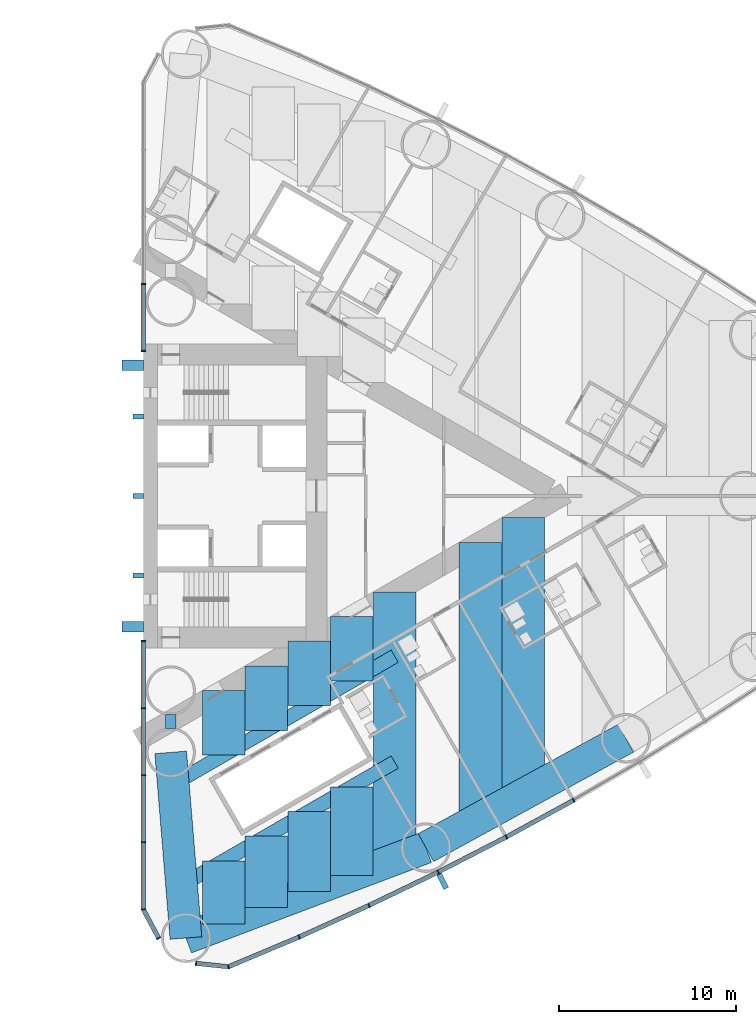
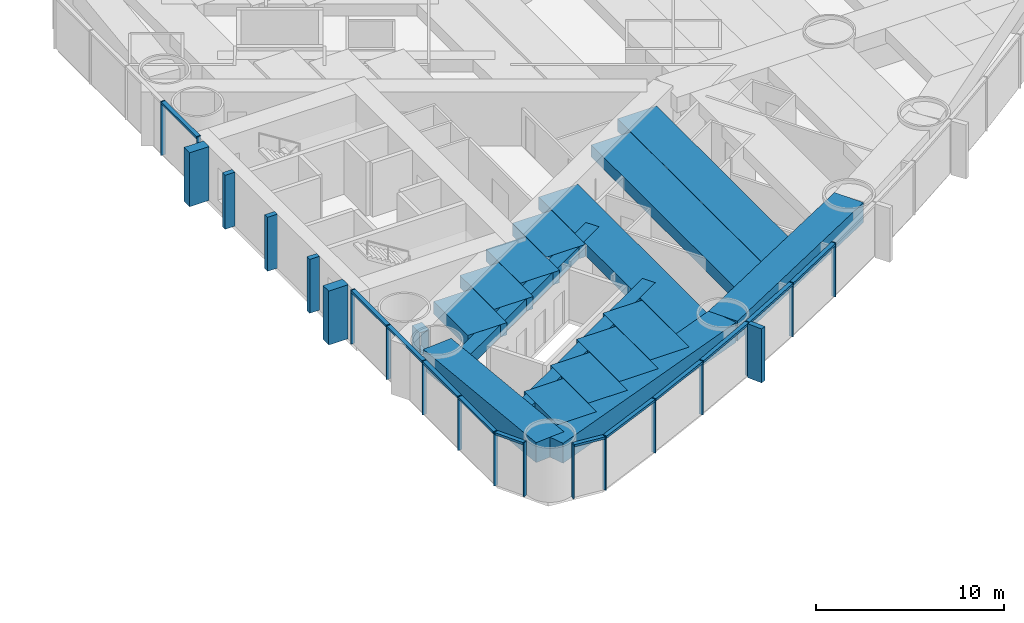
# One storey, part 6 of 18: 33 members, 17 beams, 3 elements without a shape of their own.
"""IFC4 building model written with IfcOpenShell, lengths in metres."""

from ifc_helpers import new_model, si_unit, direction, frame, origin, origin_2d, place, context, subcontext, project, spatial, rectangle, hollow_rectangle, extrude, material, material_profile, profile_set, type_object, element, aggregate, save


model = new_model("IFC4")

# Units and contexts
model_context = context("Model", 3, precision=1e-05, world=origin(), true_north=direction((0.0, 1.0)))
body_context = subcontext(model_context, "Body", "Model", "MODEL_VIEW")
ifc_project = project(units=[si_unit("LENGTHUNIT", "METRE"), si_unit("AREAUNIT", "SQUARE_METRE"), si_unit("VOLUMEUNIT", "CUBIC_METRE"), si_unit("PLANEANGLEUNIT", "RADIAN"), si_unit("MASSUNIT", "GRAM", prefix="KILO")], contexts=[model_context])

# Site, building, storey
site_placement = place(None, origin())
site = spatial("IfcSite", under=ifc_project, at=site_placement, CompositionType="ELEMENT")
building_placement = place(site_placement, origin())
building = spatial("IfcBuilding", under=site, at=building_placement, Name="Lancet Gate Hotel", CompositionType="ELEMENT")
storey_placement = place(building_placement, frame((0.0, 0.0, 53.0)))
storey = spatial("IfcBuildingStorey", under=building, at=storey_placement, Name="L13", CompositionType="ELEMENT", Elevation=53.0)

# Curtain wall, members
ifc_material_1 = material(Name="Aluminium curtain wall", Category="aluminium")
curtain_wall_type = type_object("IfcCurtainWallType", Name="Tower unitised curtain wall", PredefinedType="USERDEFINED", material=ifc_material_1)
curtain_wall_1_placement = place(storey_placement, origin())
curtain_wall_1 = element("IfcCurtainWall", 1, at=curtain_wall_1_placement, inside=storey, type_object=curtain_wall_type, Name="T2 L13 curtain wall 1", ObjectType="UNITISED CURTAIN WALL", PredefinedType="USERDEFINED")
ifc_material_2 = material(Name="Aluminium mullion", Category="aluminium")
ifc_material_profile_1 = material_profile(ifc_material_2, rectangle(XDim=0.06494140625, YDim=0.25, at=origin_2d()), Name="MULLION 65x250")
ifc_profile_set_1 = profile_set([ifc_material_profile_1], Name="Aluminium mullion")
member_type_1 = type_object("IfcMemberType", Name="Aluminium mullion 65x250", PredefinedType="MULLION", material=ifc_profile_set_1)
member_1_placement = place(storey_placement, frame((27.5, -8.199951171875, 0.0), z_axis=(0.0, 0.0, 1.0), x_axis=(0.0, -1.0, 0.0)))
member_1 = element("IfcMember", 2, at=member_1_placement, type_object=member_type_1, Name="T2 L13 curtain wall 1 mullion 1", PredefinedType="MULLION", context=body_context, shape_type="SweptSolid", body=[
    extrude(rectangle(XDim=0.06494140625, YDim=0.25, at=origin_2d()), origin(), (0.0, 0.0, 1.0), 3.5),
])
member_2_placement = place(storey_placement, frame((27.5, -11.99609375, 0.0), z_axis=(0.0, 0.0, 1.0), x_axis=(0.0, -1.0, 0.0)))
member_2 = element("IfcMember", 3, at=member_2_placement, type_object=member_type_1, Name="T2 L13 curtain wall 1 mullion 2", PredefinedType="MULLION", context=body_context, shape_type="SweptSolid", body=[
    extrude(rectangle(XDim=0.06494140625, YDim=0.25, at=origin_2d()), origin(), (0.0, 0.0, 1.0), 3.5),
])
member_3_placement = place(storey_placement, frame((27.5, -15.79248046875, 0.0), z_axis=(0.0, 0.0, 1.0), x_axis=(0.0, -1.0, 0.0)))
member_3 = element("IfcMember", 4, at=member_3_placement, type_object=member_type_1, Name="T2 L13 curtain wall 1 mullion 3", PredefinedType="MULLION", context=body_context, shape_type="SweptSolid", body=[
    extrude(rectangle(XDim=0.06494140625, YDim=0.25, at=origin_2d()), origin(), (0.0, 0.0, 1.0), 3.5),
])
member_4_placement = place(storey_placement, frame((27.5, -19.588623046875, 0.0), z_axis=(0.0, 0.0, 1.0), x_axis=(0.0, -1.0, 0.0)))
member_4 = element("IfcMember", 5, at=member_4_placement, type_object=member_type_1, Name="T2 L13 curtain wall 1 mullion 4", PredefinedType="MULLION", context=body_context, shape_type="SweptSolid", body=[
    extrude(rectangle(XDim=0.06494140625, YDim=0.25, at=origin_2d()), origin(), (0.0, 0.0, 1.0), 3.5),
])
member_5_placement = place(storey_placement, frame((27.5, -23.384765625, 0.0), z_axis=(0.0, 0.0, 1.0), x_axis=(0.157751691459, -0.987478811844, 0.0)))
member_5 = element("IfcMember", 6, at=member_5_placement, type_object=member_type_1, Name="T2 L13 curtain wall 1 mullion 5", PredefinedType="MULLION", context=body_context, shape_type="SweptSolid", body=[
    extrude(rectangle(XDim=0.06494140625, YDim=0.25, at=origin_2d()), origin(), (0.0, 0.0, 1.0), 3.5),
])
member_6_placement = place(storey_placement, frame((28.366455078125, -25.012451171875, 0.0), z_axis=(0.0, 0.0, 1.0), x_axis=(0.469897827284, -0.882720811987, 0.0)))
member_6 = element("IfcMember", 7, at=member_6_placement, type_object=member_type_1, Name="T2 L13 curtain wall 1 mullion 6", PredefinedType="MULLION", context=body_context, shape_type="SweptSolid", body=[
    extrude(rectangle(XDim=0.06494140625, YDim=0.25, at=origin_2d()), origin(), (0.0, 0.0, 1.0), 3.5),
])

curtain_wall_2_placement = place(storey_placement, origin())
curtain_wall_2 = element("IfcCurtainWall", 8, at=curtain_wall_2_placement, inside=storey, type_object=curtain_wall_type, Name="T2 L13 curtain wall 2", ObjectType="UNITISED CURTAIN WALL", PredefinedType="USERDEFINED")
member_7_placement = place(storey_placement, frame((30.48388671875, -26.4375, 0.0), z_axis=(0.0, 0.0, 1.0), x_axis=(0.994672262412, -0.10308778001, 0.0)))
member_7 = element("IfcMember", 9, at=member_7_placement, type_object=member_type_1, Name="T2 L13 curtain wall 2 mullion 1", PredefinedType="MULLION", context=body_context, shape_type="SweptSolid", body=[
    extrude(rectangle(XDim=0.06494140625, YDim=0.25, at=origin_2d()), origin(), (0.0, 0.0, 1.0), 3.5),
])
member_8_placement = place(storey_placement, frame((32.3173828125, -26.62744140625, 0.0), z_axis=(0.0, 0.0, 1.0), x_axis=(0.968721492963, 0.248150496819, 0.0)))
member_8 = element("IfcMember", 10, at=member_8_placement, type_object=member_type_1, Name="T2 L13 curtain wall 2 mullion 2", PredefinedType="MULLION", context=body_context, shape_type="SweptSolid", body=[
    extrude(rectangle(XDim=0.06494140625, YDim=0.25, at=origin_2d()), origin(), (0.0, 0.0, 1.0), 3.5),
])
member_9_placement = place(storey_placement, frame((36.31494140625, -24.943603515625, 0.0), z_axis=(0.0, 0.0, 1.0), x_axis=(0.916578705089, 0.399854320193, 0.0)))
member_9 = element("IfcMember", 11, at=member_9_placement, type_object=member_type_1, Name="T2 L13 curtain wall 2 mullion 3", PredefinedType="MULLION", context=body_context, shape_type="SweptSolid", body=[
    extrude(rectangle(XDim=0.06494140625, YDim=0.25, at=origin_2d()), origin(), (0.0, 0.0, 1.0), 3.5),
])
member_10_placement = place(storey_placement, frame((40.2685546875, -23.15869140625, 0.0), z_axis=(0.0, 0.0, 1.0), x_axis=(0.906104948671, 0.423052977762, 0.0)))
member_10 = element("IfcMember", 12, at=member_10_placement, type_object=member_type_1, Name="T2 L13 curtain wall 2 mullion 4", PredefinedType="MULLION", context=body_context, shape_type="SweptSolid", body=[
    extrude(rectangle(XDim=0.06494140625, YDim=0.25, at=origin_2d()), origin(), (0.0, 0.0, 1.0), 3.5),
])
member_11_placement = place(storey_placement, frame((44.17529296875, -21.273681640625, 0.0), z_axis=(0.0, 0.0, 1.0), x_axis=(0.895044147438, 0.445977548917, 0.0)))
member_11 = element("IfcMember", 13, at=member_11_placement, type_object=member_type_1, Name="T2 L13 curtain wall 2 mullion 5", PredefinedType="MULLION", context=body_context, shape_type="SweptSolid", body=[
    extrude(rectangle(XDim=0.06494140625, YDim=0.25, at=origin_2d()), origin(), (0.0, 0.0, 1.0), 3.5),
])
member_12_placement = place(storey_placement, frame((48.03271484375, -19.2900390625, 0.0), z_axis=(0.0, 0.0, 1.0), x_axis=(0.88340346743, 0.468613181347, 0.0)))
member_12 = element("IfcMember", 14, at=member_12_placement, type_object=member_type_1, Name="T2 L13 curtain wall 2 mullion 6", PredefinedType="MULLION", context=body_context, shape_type="SweptSolid", body=[
    extrude(rectangle(XDim=0.06494140625, YDim=0.25, at=origin_2d()), origin(), (0.0, 0.0, 1.0), 3.5),
])
member_13_placement = place(storey_placement, frame((51.838623046875, -17.208740234375, 0.0), z_axis=(0.0, 0.0, 1.0), x_axis=(0.871190450382, 0.490945209941, 0.0)))
member_13 = element("IfcMember", 15, at=member_13_placement, type_object=member_type_1, Name="T2 L13 curtain wall 2 mullion 7", PredefinedType="MULLION", context=body_context, shape_type="SweptSolid", body=[
    extrude(rectangle(XDim=0.06494140625, YDim=0.25, at=origin_2d()), origin(), (0.0, 0.0, 1.0), 3.5),
])

curtain_wall_3_placement = place(storey_placement, origin())
curtain_wall_3 = element("IfcCurtainWall", 16, at=curtain_wall_3_placement, inside=storey, type_object=curtain_wall_type, Name="T2 L13 curtain wall 4", ObjectType="UNITISED CURTAIN WALL", PredefinedType="USERDEFINED")
member_14_placement = place(storey_placement, frame((27.5, 11.99609375, 0.0), z_axis=(0.0, 0.0, 1.0), x_axis=(0.0, -1.0, 0.0)))
member_14 = element("IfcMember", 17, at=member_14_placement, type_object=member_type_1, Name="T2 L13 curtain wall 4 mullion 5", PredefinedType="MULLION", context=body_context, shape_type="SweptSolid", body=[
    extrude(rectangle(XDim=0.06494140625, YDim=0.25, at=origin_2d()), origin(), (0.0, 0.0, 1.0), 3.5),
])
member_15_placement = place(storey_placement, frame((27.5, 8.199951171875, 0.0), z_axis=(0.0, 0.0, 1.0), x_axis=(0.0, -1.0, 0.0)))
member_15 = element("IfcMember", 18, at=member_15_placement, type_object=member_type_1, Name="T2 L13 curtain wall 4 mullion 6", PredefinedType="MULLION", context=body_context, shape_type="SweptSolid", body=[
    extrude(rectangle(XDim=0.06494140625, YDim=0.25, at=origin_2d()), origin(), (0.0, 0.0, 1.0), 3.5),
])

# Member
ifc_material_3 = material(Name="Aluminium transom", Category="aluminium")
ifc_material_profile_2 = material_profile(ifc_material_3, rectangle(XDim=0.25, YDim=0.14990234375, at=origin_2d()), Name="TRANSOM 250x150")
ifc_profile_set_2 = profile_set([ifc_material_profile_2], Name="Aluminium transom")
member_type_2 = type_object("IfcMemberType", Name="Aluminium transom 250x150", PredefinedType="USERDEFINED", material=ifc_profile_set_2)
member_16_placement = place(storey_placement, frame((27.5, -8.232421875, 3.425048828125), z_axis=(0.0, -1.0, 0.0), x_axis=(1.0, 0.0, 0.0)))
member_16 = element("IfcMember", 19, at=member_16_placement, type_object=member_type_2, Name="T2 L13 curtain wall 1 transom 1", ObjectType="TRANSOM", PredefinedType="USERDEFINED", context=body_context, shape_type="SweptSolid", body=[
    extrude(rectangle(XDim=0.25, YDim=0.14990234375, at=origin_2d()), origin(), (0.0, 0.0, 1.0), 3.731201171875),
])

member_17_placement = place(storey_placement, frame((27.5, -12.02880859375, 3.425048828125), z_axis=(0.0, -1.0, 0.0), x_axis=(1.0, 0.0, 0.0)))
member_17 = element("IfcMember", 20, at=member_17_placement, type_object=member_type_2, Name="T2 L13 curtain wall 1 transom 2", ObjectType="TRANSOM", PredefinedType="USERDEFINED", context=body_context, shape_type="SweptSolid", body=[
    extrude(rectangle(XDim=0.25, YDim=0.14990234375, at=origin_2d()), origin(), (0.0, 0.0, 1.0), 3.731201171875),
])

member_18_placement = place(storey_placement, frame((27.5, -15.824951171875, 3.425048828125), z_axis=(0.0, -1.0, 0.0), x_axis=(1.0, 0.0, 0.0)))
member_18 = element("IfcMember", 21, at=member_18_placement, type_object=member_type_2, Name="T2 L13 curtain wall 1 transom 3", ObjectType="TRANSOM", PredefinedType="USERDEFINED", context=body_context, shape_type="SweptSolid", body=[
    extrude(rectangle(XDim=0.25, YDim=0.14990234375, at=origin_2d()), origin(), (0.0, 0.0, 1.0), 3.731201171875),
])

member_19_placement = place(storey_placement, frame((27.5, -19.62109375, 3.425048828125), z_axis=(0.0, -1.0, 0.0), x_axis=(1.0, 0.0, 0.0)))
member_19 = element("IfcMember", 22, at=member_19_placement, type_object=member_type_2, Name="T2 L13 curtain wall 1 transom 4", ObjectType="TRANSOM", PredefinedType="USERDEFINED", context=body_context, shape_type="SweptSolid", body=[
    extrude(rectangle(XDim=0.25, YDim=0.14990234375, at=origin_2d()), origin(), (0.0, 0.0, 1.0), 3.731201171875),
])

member_20_placement = place(storey_placement, frame((27.515380859375, -23.41357421875, 3.425048828125), z_axis=(0.469904276347, -0.882717378933, 0.0), x_axis=(0.882717378933, 0.469904276347, 0.0)))
member_20 = element("IfcMember", 23, at=member_20_placement, type_object=member_type_2, Name="T2 L13 curtain wall 1 transom 5", ObjectType="TRANSOM", PredefinedType="USERDEFINED", context=body_context, shape_type="SweptSolid", body=[
    extrude(rectangle(XDim=0.25, YDim=0.14990234375, at=origin_2d()), origin(), (0.0, 0.0, 1.0), 1.779052734375),
])

aggregate(curtain_wall_1, [member_1, member_2, member_3, member_4, member_5, member_6, member_16, member_17, member_18, member_19, member_20])

member_21_placement = place(storey_placement, frame((30.516357421875, -26.440673828125, 3.425048828125), z_axis=(0.994670452051, -0.103105246306, 0.0), x_axis=(0.103105246306, 0.994670452051, 0.0)))
member_21 = element("IfcMember", 24, at=member_21_placement, type_object=member_type_2, Name="T2 L13 curtain wall 2 transom 1", ObjectType="TRANSOM", PredefinedType="USERDEFINED", context=body_context, shape_type="SweptSolid", body=[
    extrude(rectangle(XDim=0.25, YDim=0.14990234375, at=origin_2d()), origin(), (0.0, 0.0, 1.0), 1.7783203125),
])

member_22_placement = place(storey_placement, frame((32.347412109375, -26.61474609375, 3.425048828125), z_axis=(0.92159772617, 0.388146404233, 0.0), x_axis=(-0.388146404233, 0.92159772617, 0.0)))
member_22 = element("IfcMember", 25, at=member_22_placement, type_object=member_type_2, Name="T2 L13 curtain wall 2 transom 2", ObjectType="TRANSOM", PredefinedType="USERDEFINED", context=body_context, shape_type="SweptSolid", body=[
    extrude(rectangle(XDim=0.25, YDim=0.14990234375, at=origin_2d()), origin(), (0.0, 0.0, 1.0), 4.272705078125),
])

member_23_placement = place(storey_placement, frame((36.3447265625, -24.930419921875, 3.425048828125), z_axis=(0.911396871737, 0.411528543589, 0.0), x_axis=(-0.411528543589, 0.911396871737, 0.0)))
member_23 = element("IfcMember", 26, at=member_23_placement, type_object=member_type_2, Name="T2 L13 curtain wall 2 transom 3", ObjectType="TRANSOM", PredefinedType="USERDEFINED", context=body_context, shape_type="SweptSolid", body=[
    extrude(rectangle(XDim=0.25, YDim=0.14990234375, at=origin_2d()), origin(), (0.0, 0.0, 1.0), 4.272705078125),
])

member_24_placement = place(storey_placement, frame((40.2978515625, -23.14453125, 3.425048828125), z_axis=(0.900646499888, 0.434552508035, 0.0), x_axis=(-0.434552508035, 0.900646499888, 0.0)))
member_24 = element("IfcMember", 27, at=member_24_placement, type_object=member_type_2, Name="T2 L13 curtain wall 2 transom 4", ObjectType="TRANSOM", PredefinedType="USERDEFINED", context=body_context, shape_type="SweptSolid", body=[
    extrude(rectangle(XDim=0.25, YDim=0.14990234375, at=origin_2d()), origin(), (0.0, 0.0, 1.0), 4.272705078125),
])

member_25_placement = place(storey_placement, frame((44.2041015625, -21.259033203125, 3.425048828125), z_axis=(0.88929576978, 0.457332520002, 0.0), x_axis=(-0.457332520002, 0.88929576978, 0.0)))
member_25 = element("IfcMember", 28, at=member_25_placement, type_object=member_type_2, Name="T2 L13 curtain wall 2 transom 5", ObjectType="TRANSOM", PredefinedType="USERDEFINED", context=body_context, shape_type="SweptSolid", body=[
    extrude(rectangle(XDim=0.25, YDim=0.14990234375, at=origin_2d()), origin(), (0.0, 0.0, 1.0), 4.272705078125),
])

member_26_placement = place(storey_placement, frame((48.061279296875, -19.2744140625, 3.425048828125), z_axis=(0.877377528879, 0.479800658417, 0.0), x_axis=(-0.479800658417, 0.877377528879, 0.0)))
member_26 = element("IfcMember", 29, at=member_26_placement, type_object=member_type_2, Name="T2 L13 curtain wall 2 transom 6", ObjectType="TRANSOM", PredefinedType="USERDEFINED", context=body_context, shape_type="SweptSolid", body=[
    extrude(rectangle(XDim=0.25, YDim=0.14990234375, at=origin_2d()), origin(), (0.0, 0.0, 1.0), 4.272705078125),
])

member_27_placement = place(storey_placement, frame((27.5, 11.963623046875, 3.425048828125), z_axis=(0.0, -1.0, 0.0), x_axis=(1.0, 0.0, 0.0)))
member_27 = element("IfcMember", 30, at=member_27_placement, type_object=member_type_2, Name="T2 L13 curtain wall 4 transom 5", ObjectType="TRANSOM", PredefinedType="USERDEFINED", context=body_context, shape_type="SweptSolid", body=[
    extrude(rectangle(XDim=0.25, YDim=0.14990234375, at=origin_2d()), origin(), (0.0, 0.0, 1.0), 3.731201171875),
])

aggregate(curtain_wall_3, [member_14, member_15, member_27])

# Beams
ifc_material_4 = material(Name="Concrete C50/60", Category="concrete")
ifc_material_profile_3 = material_profile(ifc_material_4, rectangle(XDim=1.800048828125, YDim=1.300048828125, at=origin_2d()), Name="RC 1800x1300")
ifc_profile_set_3 = profile_set([ifc_material_profile_3], Name="Concrete C50/60")
beam_type_1 = type_object("IfcBeamType", Name="Edge beam RC 1800x1300", PredefinedType="SPANDREL", material=ifc_profile_set_3)
beam_1_placement = place(storey_placement, frame((29.9111328125, -25.00244140625, 2.60009765625), z_axis=(0.935736448066, 0.352700013836, 0.0), x_axis=(-0.352700013836, 0.935736448066, 0.0)))
element("IfcBeam", 31, at=beam_1_placement, inside=storey, type_object=beam_type_1, Name="T2 edge beam EB1 L13", PredefinedType="SPANDREL", context=body_context, shape_type="SweptSolid", body=[
    extrude(rectangle(XDim=1.800048828125, YDim=1.300048828125, at=origin_2d()), origin(), (0.0, 0.0, 1.0), 14.505126953125),
])
beam_2_placement = place(storey_placement, frame((43.484130859375, -19.886474609375, 2.60009765625), z_axis=(0.87736889738, 0.479816441893, 0.0), x_axis=(-0.479816441893, 0.87736889738, 0.0)))
element("IfcBeam", 32, at=beam_2_placement, inside=storey, type_object=beam_type_1, Name="T2 edge beam EB1 L13", PredefinedType="SPANDREL", context=body_context, shape_type="SweptSolid", body=[
    extrude(rectangle(XDim=1.800048828125, YDim=1.300048828125, at=origin_2d()), origin(), (0.0, 0.0, 1.0), 12.89208984375),
])
beam_3_placement = place(storey_placement, frame((29.9111328125, -25.00244140625, 2.60009765625), z_axis=(-0.081714744052, 0.996655758326, 0.0), x_axis=(-0.996655758326, -0.081714744052, 0.0)))
element("IfcBeam", 33, at=beam_3_placement, inside=storey, type_object=beam_type_1, Name="T2 edge beam EB1 L13", PredefinedType="SPANDREL", context=body_context, shape_type="SweptSolid", body=[
    extrude(rectangle(XDim=1.800048828125, YDim=1.300048828125, at=origin_2d()), origin(), (0.0, 0.0, 1.0), 10.53759765625),
])

# Members
ifc_material_5 = material(Name="Concrete C60/75", Category="concrete")
ifc_material_profile_4 = material_profile(ifc_material_5, rectangle(XDim=0.60009765625, YDim=1.199951171875, at=origin_2d()), Name="FIN 600x1200")
ifc_profile_set_4 = profile_set([ifc_material_profile_4], Name="Concrete C60/75")
member_type_3 = type_object("IfcMemberType", Name="Exposed concrete buttress pilaster 600x1200", PredefinedType="USERDEFINED", material=ifc_profile_set_4)
for number, where, z_axis, x_axis, name in (
    (34, (26.909912109375, -7.39990234375, 0.0), (0.0, 0.0, 1.0), (0.0, 1.0, 0.0), "T2 buttress pilaster S L13"),
    (35, (26.909912109375, 7.39990234375, 0.0), (0.0, 0.0, 1.0), (0.0, 1.0, 0.0), "T2 buttress pilaster N L13"),
):
    element("IfcMember", number, at=place(storey_placement, frame(where, z_axis=z_axis, x_axis=x_axis)), inside=storey, type_object=member_type_3, Name=name, ObjectType="FIN", PredefinedType="USERDEFINED", context=body_context, shape_type="SweptSolid", body=[
        extrude(rectangle(XDim=0.60009765625, YDim=1.199951171875, at=origin_2d()), origin(), (0.0, 0.0, 1.0), 3.5),
    ])

# Member
ifc_material_6 = material(Name="Precast concrete C50/60", Category="concrete")
ifc_material_profile_5 = material_profile(ifc_material_6, rectangle(XDim=0.300048828125, YDim=0.89990234375, at=origin_2d()), Name="FIN 300x900")
ifc_profile_set_5 = profile_set([ifc_material_profile_5], Name="Precast concrete C50/60")
member_type_4 = type_object("IfcMemberType", Name="Exposed concrete fin 300x900", PredefinedType="USERDEFINED", material=ifc_profile_set_5)
member_28_placement = place(storey_placement, frame((44.431640625, -21.788330078125, 0.0), z_axis=(0.0, 0.0, 1.0), x_axis=(0.895044147438, 0.445977548917, 0.0)))
member_28 = element("IfcMember", 36, at=member_28_placement, type_object=member_type_4, Name="T2 L13 curtain wall 2 fin 5", ObjectType="FIN", PredefinedType="USERDEFINED", context=body_context, shape_type="SweptSolid", body=[
    extrude(rectangle(XDim=0.300048828125, YDim=0.89990234375, at=origin_2d()), origin(), (0.0, 0.0, 1.0), 3.5),
])

aggregate(curtain_wall_2, [member_7, member_8, member_9, member_10, member_11, member_28, member_12, member_13, member_21, member_22, member_23, member_24, member_25, member_26])

# Members
ifc_material_7 = material(Name="Concrete C60/75", Category="concrete")
ifc_material_profile_6 = material_profile(ifc_material_7, rectangle(XDim=0.300048828125, YDim=0.60009765625, at=origin_2d()), Name="FIN 300x600")
ifc_profile_set_6 = profile_set([ifc_material_profile_6], Name="Concrete C60/75")
member_type_5 = type_object("IfcMemberType", Name="Exposed concrete rib 300x600", PredefinedType="USERDEFINED", material=ifc_profile_set_6)
for number, where, z_axis, x_axis, name in (
    (37, (27.2099609375, -4.5, 0.0), (0.0, 0.0, 1.0), (0.0, 1.0, 0.0), "T2 core rib 1 L13"),
    (38, (27.2099609375, 0.0, 0.0), (0.0, 0.0, 1.0), (0.0, 1.0, 0.0), "T2 core rib 2 L13"),
    (39, (27.2099609375, 4.5, 0.0), (0.0, 0.0, 1.0), (0.0, 1.0, 0.0), "T2 core rib 3 L13"),
):
    element("IfcMember", number, at=place(storey_placement, frame(where, z_axis=z_axis, x_axis=x_axis)), inside=storey, type_object=member_type_5, Name=name, ObjectType="FIN", PredefinedType="USERDEFINED", context=body_context, shape_type="SweptSolid", body=[
        extrude(rectangle(XDim=0.300048828125, YDim=0.60009765625, at=origin_2d()), origin(), (0.0, 0.0, 1.0), 3.5),
    ])

# Beams
ifc_material_8 = material(Name="Concrete C50/60", Category="concrete")
ifc_material_profile_7 = material_profile(ifc_material_8, rectangle(XDim=2.39990234375, YDim=0.800048828125, at=origin_2d()), Name="RC 2400x800")
ifc_profile_set_7 = profile_set([ifc_material_profile_7], Name="Concrete C50/60")
beam_type_2 = type_object("IfcBeamType", Name="Floor beam RC 2400x800", PredefinedType="BEAM", material=ifc_profile_set_7)
beam_4_placement = place(storey_placement, frame((41.721435546875, -20.55078125, 2.85009765625), z_axis=(0.0, 1.0, 0.0), x_axis=(-1.0, 0.0, 0.0)))
element("IfcBeam", 40, at=beam_4_placement, inside=storey, type_object=beam_type_2, Name="T2 floor beam F11S L13", PredefinedType="BEAM", context=body_context, shape_type="SweptSolid", body=[
    extrude(rectangle(XDim=2.39990234375, YDim=0.800048828125, at=origin_2d()), origin(), (0.0, 0.0, 1.0), 15.134765625),
])
beam_5_placement = place(storey_placement, frame((46.561767578125, -18.203369140625, 2.85009765625), z_axis=(0.0, 1.0, 0.0), x_axis=(-1.0, 0.0, 0.0)))
element("IfcBeam", 41, at=beam_5_placement, inside=storey, type_object=beam_type_2, Name="T2 floor beam F13S L13", PredefinedType="BEAM", context=body_context, shape_type="SweptSolid", body=[
    extrude(rectangle(XDim=2.39990234375, YDim=0.800048828125, at=origin_2d()), origin(), (0.0, 0.0, 1.0), 15.58203125),
])
beam_6_placement = place(storey_placement, frame((48.98193359375, -16.879638671875, 2.85009765625), z_axis=(0.0, 1.0, 0.0), x_axis=(-1.0, 0.0, 0.0)))
element("IfcBeam", 42, at=beam_6_placement, inside=storey, type_object=beam_type_2, Name="T2 floor beam F15S L13", PredefinedType="BEAM", context=body_context, shape_type="SweptSolid", body=[
    extrude(rectangle(XDim=2.39990234375, YDim=0.800048828125, at=origin_2d()), origin(), (0.0, 0.0, 1.0), 15.655517578125),
])
beam_7_placement = place(storey_placement, frame((32.04052734375, -24.199951171875, 2.85009765625), z_axis=(0.0, 1.0, 0.0), x_axis=(-1.0, 0.0, 0.0)))
element("IfcBeam", 43, at=beam_7_placement, inside=storey, type_object=beam_type_2, Name="T2 floor beam F03SA L13", PredefinedType="BEAM", context=body_context, shape_type="SweptSolid", body=[
    extrude(rectangle(XDim=2.39990234375, YDim=0.800048828125, at=origin_2d()), origin(), (0.0, 0.0, 1.0), 3.5615234375),
])
beam_8_placement = place(storey_placement, frame((32.04052734375, -14.65087890625, 2.85009765625), z_axis=(0.0, 1.0, 0.0), x_axis=(-1.0, 0.0, 0.0)))
element("IfcBeam", 44, at=beam_8_placement, inside=storey, type_object=beam_type_2, Name="T2 floor beam F03SB L13", PredefinedType="BEAM", context=body_context, shape_type="SweptSolid", body=[
    extrude(rectangle(XDim=2.39990234375, YDim=0.800048828125, at=origin_2d()), origin(), (0.0, 0.0, 1.0), 3.6455078125),
])
beam_9_placement = place(storey_placement, frame((34.460693359375, -23.28759765625, 2.85009765625), z_axis=(0.0, 1.0, 0.0), x_axis=(-1.0, 0.0, 0.0)))
element("IfcBeam", 45, at=beam_9_placement, inside=storey, type_object=beam_type_2, Name="T2 floor beam F05SA L13", PredefinedType="BEAM", context=body_context, shape_type="SweptSolid", body=[
    extrude(rectangle(XDim=2.39990234375, YDim=0.800048828125, at=origin_2d()), origin(), (0.0, 0.0, 1.0), 4.04638671875),
])
beam_10_placement = place(storey_placement, frame((34.460693359375, -13.253662109375, 2.85009765625), z_axis=(0.0, 1.0, 0.0), x_axis=(-1.0, 0.0, 0.0)))
element("IfcBeam", 46, at=beam_10_placement, inside=storey, type_object=beam_type_2, Name="T2 floor beam F05SB L13", PredefinedType="BEAM", context=body_context, shape_type="SweptSolid", body=[
    extrude(rectangle(XDim=2.39990234375, YDim=0.800048828125, at=origin_2d()), origin(), (0.0, 0.0, 1.0), 3.645751953125),
])
beam_11_placement = place(storey_placement, frame((36.880859375, -22.37548828125, 2.85009765625), z_axis=(0.0, 1.0, 0.0), x_axis=(-1.0, 0.0, 0.0)))
element("IfcBeam", 47, at=beam_11_placement, inside=storey, type_object=beam_type_2, Name="T2 floor beam F07SA L13", PredefinedType="BEAM", context=body_context, shape_type="SweptSolid", body=[
    extrude(rectangle(XDim=2.39990234375, YDim=0.800048828125, at=origin_2d()), origin(), (0.0, 0.0, 1.0), 4.53173828125),
])
beam_12_placement = place(storey_placement, frame((36.880859375, -11.8564453125, 2.85009765625), z_axis=(0.0, 1.0, 0.0), x_axis=(-1.0, 0.0, 0.0)))
element("IfcBeam", 48, at=beam_12_placement, inside=storey, type_object=beam_type_2, Name="T2 floor beam F07SB L13", PredefinedType="BEAM", context=body_context, shape_type="SweptSolid", body=[
    extrude(rectangle(XDim=2.39990234375, YDim=0.800048828125, at=origin_2d()), origin(), (0.0, 0.0, 1.0), 3.645751953125),
])
beam_13_placement = place(storey_placement, frame((39.301025390625, -21.463134765625, 2.85009765625), z_axis=(0.0, 1.0, 0.0), x_axis=(-1.0, 0.0, 0.0)))
element("IfcBeam", 49, at=beam_13_placement, inside=storey, type_object=beam_type_2, Name="T2 floor beam F09SA L13", PredefinedType="BEAM", context=body_context, shape_type="SweptSolid", body=[
    extrude(rectangle(XDim=2.39990234375, YDim=0.800048828125, at=origin_2d()), origin(), (0.0, 0.0, 1.0), 5.0166015625),
])
beam_14_placement = place(storey_placement, frame((39.301025390625, -10.458984375, 2.85009765625), z_axis=(0.0, 1.0, 0.0), x_axis=(-1.0, 0.0, 0.0)))
element("IfcBeam", 50, at=beam_14_placement, inside=storey, type_object=beam_type_2, Name="T2 floor beam F09SB L13", PredefinedType="BEAM", context=body_context, shape_type="SweptSolid", body=[
    extrude(rectangle(XDim=2.39990234375, YDim=0.800048828125, at=origin_2d()), origin(), (0.0, 0.0, 1.0), 3.6455078125),
])
ifc_material_9 = material(Name="Steel S460QL", Category="steel")
ifc_material_profile_8 = material_profile(ifc_material_9, hollow_rectangle(XDim=0.60009765625, YDim=1.5, WallThickness=0.050048828125, at=origin_2d()), Name="BOX 1500x600x50")
ifc_profile_set_8 = profile_set([ifc_material_profile_8], Name="Steel S460QL")
beam_type_3 = type_object("IfcBeamType", Name="Inner-face link beam BOX 1500x600x50", PredefinedType="BEAM", material=ifc_profile_set_8)
beam_15_placement = place(storey_placement, frame((29.050048828125, -13.14990234375, 2.5), z_axis=(0.0, 1.0, 0.0), x_axis=(-1.0, 0.0, 0.0)))
element("IfcBeam", 51, at=beam_15_placement, inside=storey, type_object=beam_type_3, Name="T2 inner-face link beam LK1 L13", PredefinedType="BEAM", context=body_context, shape_type="SweptSolid", body=[
    extrude(hollow_rectangle(XDim=0.60009765625, YDim=1.5, WallThickness=0.050048828125, at=origin_2d()), origin(), (0.0, 0.0, 1.0), 0.7998046875),
])
ifc_material_10 = material(Name="Steel S460QL", Category="steel")
ifc_material_profile_9 = material_profile(ifc_material_10, hollow_rectangle(XDim=0.800048828125, YDim=0.800048828125, WallThickness=0.080078125, at=origin_2d()), Name="BOX 800x800x80")
ifc_profile_set_9 = profile_set([ifc_material_profile_9], Name="Steel S460QL")
beam_type_4 = type_object("IfcBeamType", Name="Trimmer beam BOX 800x800x80", PredefinedType="BEAM", material=ifc_profile_set_9)
beam_16_placement = place(storey_placement, frame((29.6201171875, -16.048095703125, 2.85009765625), z_axis=(0.866036909293, 0.499980071345, 0.0), x_axis=(-0.499980071345, 0.866036909293, 0.0)))
element("IfcBeam", 52, at=beam_16_placement, inside=storey, type_object=beam_type_4, Name="T2 trimmer beam TR01S L13", PredefinedType="BEAM", context=body_context, shape_type="SweptSolid", body=[
    extrude(hollow_rectangle(XDim=0.800048828125, YDim=0.800048828125, WallThickness=0.080078125, at=origin_2d()), origin(), (0.0, 0.0, 1.0), 13.97314453125),
])
beam_17_placement = place(storey_placement, frame((29.665771484375, -22.00927734375, 2.85009765625), z_axis=(0.866037222451, 0.499979528911, 0.0), x_axis=(-0.499979528911, 0.866037222451, 0.0)))
element("IfcBeam", 53, at=beam_17_placement, inside=storey, type_object=beam_type_4, Name="T2 trimmer beam TR02S L13", PredefinedType="BEAM", context=body_context, shape_type="SweptSolid", body=[
    extrude(hollow_rectangle(XDim=0.800048828125, YDim=0.800048828125, WallThickness=0.080078125, at=origin_2d()), origin(), (0.0, 0.0, 1.0), 13.92041015625),
])

save(model, "model.ifc")
